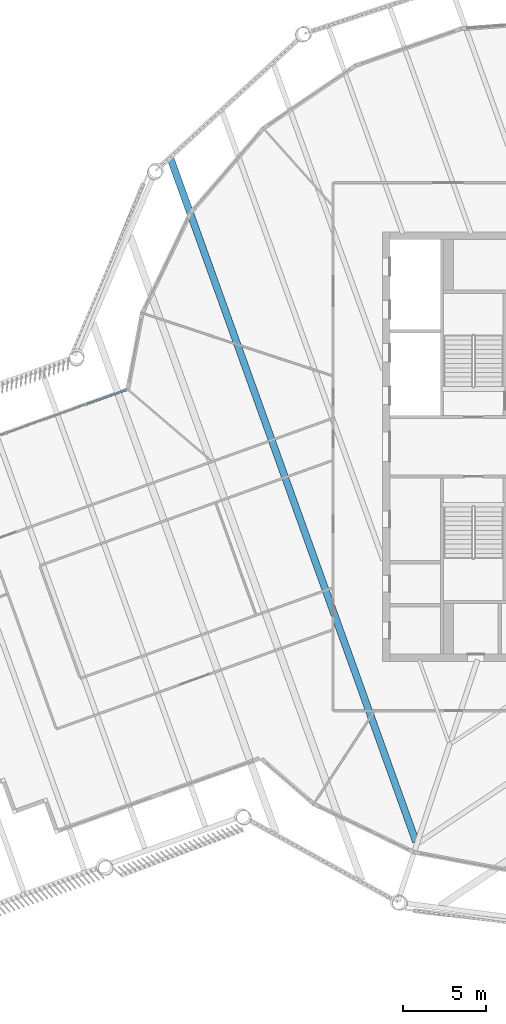
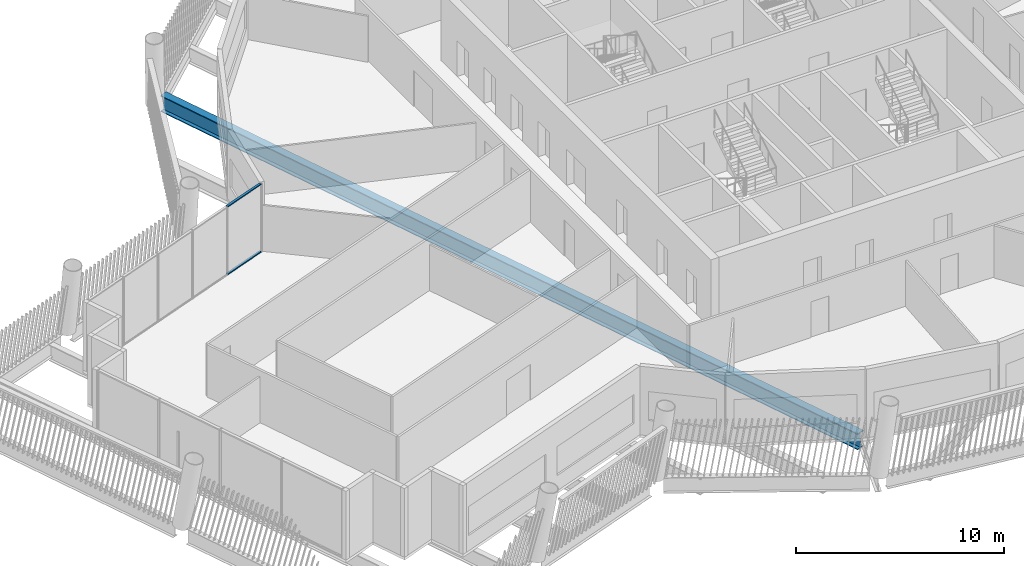
# One storey, part 12 of 28: 2 members, 1 beam, 1 element without a shape of its own.
"""IFC4 building model written with IfcOpenShell, lengths in metres."""

from ifc_helpers import new_model, si_unit, direction, frame, origin, origin_2d, place, context, subcontext, project, spatial, hollow_rectangle, i_section, extrude, material, layer, layer_set, material_profile, profile_set, type_object, element, aggregate, save


model = new_model("IFC4")

# Units and contexts
model_context = context("Model", 3, precision=1e-05, world=origin(), true_north=direction((0.0, 1.0)))
body_context = subcontext(model_context, "Body", "Model", "MODEL_VIEW")
ifc_project = project(units=[si_unit("LENGTHUNIT", "METRE"), si_unit("AREAUNIT", "SQUARE_METRE"), si_unit("VOLUMEUNIT", "CUBIC_METRE"), si_unit("PLANEANGLEUNIT", "RADIAN"), si_unit("MASSUNIT", "GRAM", prefix="KILO")], contexts=[model_context])

# Site, building, storey
site_placement = place(None, origin())
site = spatial("IfcSite", under=ifc_project, at=site_placement, CompositionType="ELEMENT")
building_placement = place(site_placement, origin())
building = spatial("IfcBuilding", under=site, at=building_placement, Name="Tarsis Ring Headquarters", CompositionType="ELEMENT")
storey_placement = place(building_placement, frame((0.0, 0.0, 365.0)))
storey = spatial("IfcBuildingStorey", under=building, at=storey_placement, Name="L86", CompositionType="ELEMENT", Elevation=365.0)

# Curtain wall, members
ifc_material_1 = material(Name="Aluminium curtain wall", Category="aluminium")
ifc_layer = layer(ifc_material_1, 0.14990234375)
ifc_layer_set = layer_set([ifc_layer], Name="Curtain wall tower unit")
curtain_wall_type = type_object("IfcCurtainWallType", Name="Curtain wall tower unit", PredefinedType="NOTDEFINED", material=ifc_layer_set)
curtain_wall_placement = place(storey_placement, origin())
curtain_wall = element("IfcCurtainWall", 1, at=curtain_wall_placement, inside=storey, type_object=curtain_wall_type, Name="Curtain wall L86-31", PredefinedType="NOTDEFINED")
ifc_material_2 = material(Name="Aluminium transom", Category="aluminium")
ifc_material_profile_1 = material_profile(ifc_material_2, hollow_rectangle(XDim=0.1298828125, YDim=0.06005859375, WallThickness=0.0048828125, at=origin_2d()), Name="RHS 130x60x5")
ifc_profile_set_1 = profile_set([ifc_material_profile_1], Name="Aluminium transom")
member_type = type_object("IfcMemberType", Name="Curtain wall transom tower unit RHS 130x60x5", PredefinedType="USERDEFINED", material=ifc_profile_set_1)
member_1_placement = place(storey_placement, frame((-25.574462890625, 3.4306640625, 0.030029296875), z_axis=(-0.941137103585, -0.338025076371, 0.0), x_axis=(0.338025076371, -0.941137103585, 0.0)))
member_1 = element("IfcMember", 2, at=member_1_placement, type_object=member_type, Name="CW-T transom 1.1", ObjectType="TRANSOM", PredefinedType="USERDEFINED", context=body_context, shape_type="SweptSolid", body=[
    extrude(hollow_rectangle(XDim=0.1298828125, YDim=0.06005859375, WallThickness=0.0048828125, at=origin_2d()), origin(), (0.0, 0.0, 1.0), 2.490234375),
])
member_2_placement = place(storey_placement, frame((-25.574462890625, 3.4306640625, 4.010009765625), z_axis=(-0.941137103585, -0.338025076371, 0.0), x_axis=(0.338025076371, -0.941137103585, 0.0)))
member_2 = element("IfcMember", 3, at=member_2_placement, type_object=member_type, Name="CW-T transom 1.2", ObjectType="TRANSOM", PredefinedType="USERDEFINED", context=body_context, shape_type="SweptSolid", body=[
    extrude(hollow_rectangle(XDim=0.1298828125, YDim=0.06005859375, WallThickness=0.0048828125, at=origin_2d()), origin(), (0.0, 0.0, 1.0), 2.490234375),
])
aggregate(curtain_wall, [member_1, member_2])

# Beam
ifc_material_3 = material(Name="Structural steel S355", Category="steel")
ifc_material_profile_2 = material_profile(ifc_material_3, i_section(OverallWidth=0.42431640625, OverallDepth=0.947509765625, WebThickness=0.02392578125, FlangeThickness=0.042724609375, at=origin_2d()), Name="W36x302")
ifc_profile_set_2 = profile_set([ifc_material_profile_2], Name="Structural steel S355")
beam_type = type_object("IfcBeamType", Name="FB Floor beam W36x302", PredefinedType="JOIST", material=ifc_profile_set_2)
beam_placement = place(storey_placement, frame((-22.854248046875, 17.4765625, -0.6337890625), z_axis=(0.33808283273, -0.941116357425, 0.0), x_axis=(0.941116357425, 0.33808283273, 0.0)))
element("IfcBeam", 4, at=beam_placement, inside=storey, type_object=beam_type, Name="Floor beam FB12", PredefinedType="JOIST", context=body_context, shape_type="SweptSolid", body=[
    extrude(i_section(OverallWidth=0.42431640625, OverallDepth=0.947509765625, WebThickness=0.02392578125, FlangeThickness=0.042724609375, at=origin_2d()), origin(), (0.0, 0.0, 1.0), 43.989501953125),
])

save(model, "model.ifc")
